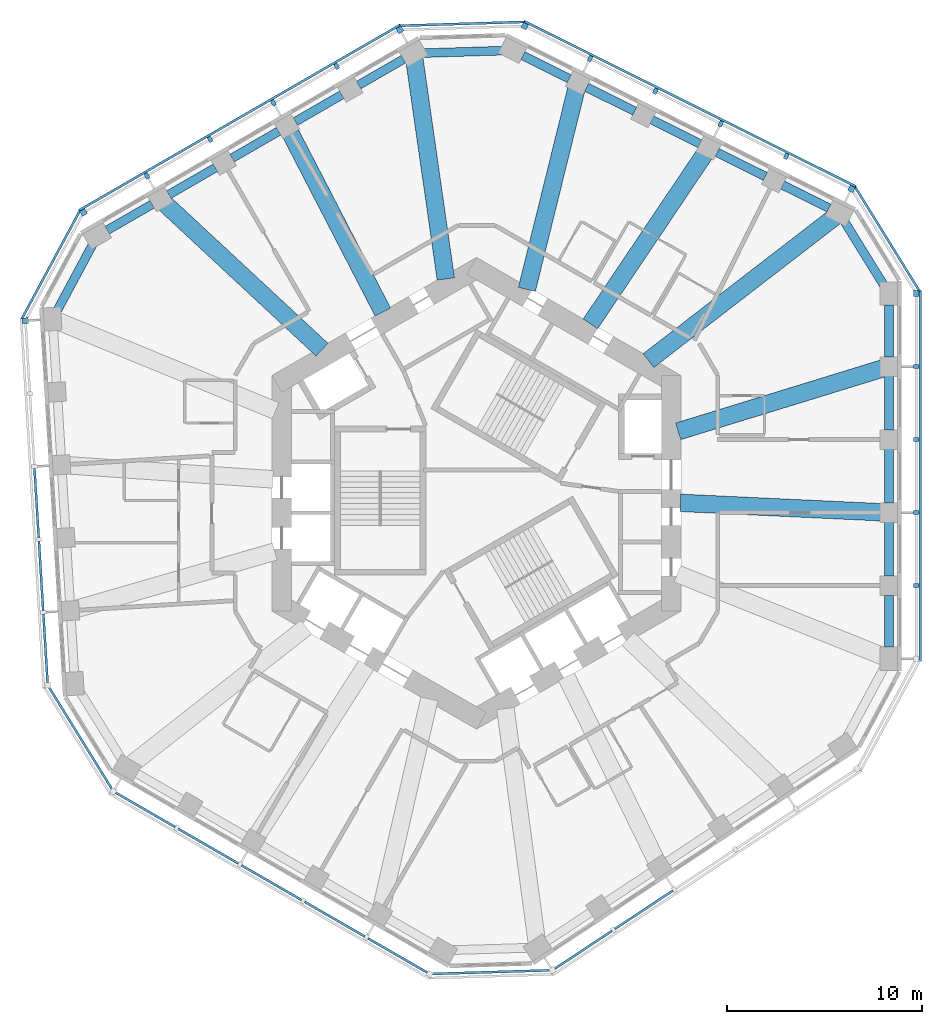
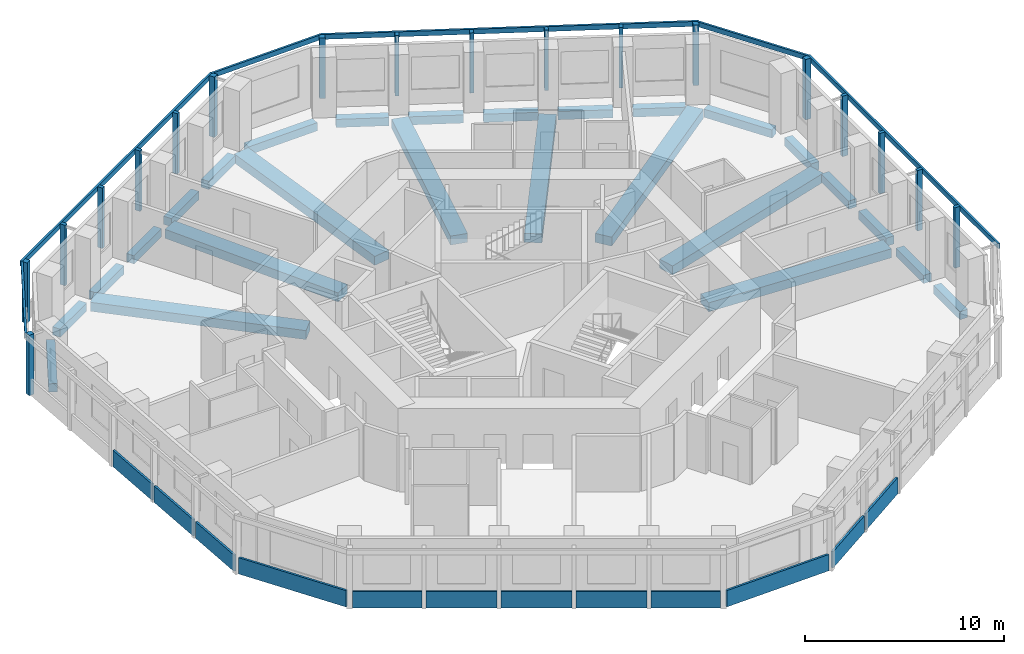
# One storey, part 2 of 11: 26 beams, 24 members, 12 plates, 11 elements without a shape of their own.
"""IFC4 building model written with IfcOpenShell, lengths in metres."""

from ifc_helpers import new_model, si_unit, direction, frame, origin, origin_2d, place, context, subcontext, project, spatial, rectangle, extrude, material, layer, layer_set, material_profile, profile_set, type_object, element, aggregate, save


model = new_model("IFC4")

# Units and contexts
model_context = context("Model", 3, precision=1e-05, world=origin(), true_north=direction((0.0, 1.0)))
body_context = subcontext(model_context, "Body", "Model", "MODEL_VIEW")
ifc_project = project(units=[si_unit("LENGTHUNIT", "METRE"), si_unit("AREAUNIT", "SQUARE_METRE"), si_unit("VOLUMEUNIT", "CUBIC_METRE"), si_unit("PLANEANGLEUNIT", "RADIAN"), si_unit("MASSUNIT", "GRAM", prefix="KILO")], contexts=[model_context])

# Site, building, storey
site_placement = place(None, origin())
site = spatial("IfcSite", under=ifc_project, at=site_placement, CompositionType="ELEMENT")
building_placement = place(site_placement, origin())
building = spatial("IfcBuilding", under=site, at=building_placement, Name="Vanh Sen Convention Tower", CompositionType="ELEMENT")
storey_placement = place(building_placement, frame((0.0, 0.0, 168.800048828125)))
storey = spatial("IfcBuildingStorey", under=building, at=storey_placement, Name="L41", CompositionType="ELEMENT", Elevation=168.800048828125)

# Curtain wall, member
ifc_material_1 = material(Name="Concrete C50/60", Category="concrete")
curtain_wall_type = type_object("IfcCurtainWallType", Name="Outer skin office zone", PredefinedType="NOTDEFINED", material=ifc_material_1)
curtain_wall_1_placement = place(storey_placement, origin())
curtain_wall_1 = element("IfcCurtainWall", 1, at=curtain_wall_1_placement, inside=storey, type_object=curtain_wall_type, Name="OUTER SKIN E L41", PredefinedType="NOTDEFINED")
ifc_material_profile_1 = material_profile(ifc_material_1, rectangle(XDim=0.300048828125, YDim=0.300048828125, at=origin_2d()), Name="Outer skin precast corner fin 300 x 300")
ifc_profile_set_1 = profile_set([ifc_material_profile_1], Name="Concrete C50/60")
member_type_1 = type_object("IfcMemberType", Name="Outer skin precast corner fin 300 x 300", PredefinedType="MULLION", material=ifc_profile_set_1)
member_1_placement = place(storey_placement, frame((22.60009765625, 10.26953125, 0.0), z_axis=(0.0, 0.0, 1.0), x_axis=(0.0, 1.0, 0.0)))
member_1 = element("IfcMember", 2, at=member_1_placement, type_object=member_type_1, Name="OUTER SKIN CORNER FIN 6 E L41", PredefinedType="MULLION", context=body_context, shape_type="SweptSolid", body=[
    extrude(rectangle(XDim=0.300048828125, YDim=0.300048828125, at=origin_2d()), origin(), (0.0, 0.0, 1.0), 3.699951171875),
])

# Curtain wall, members
curtain_wall_2_placement = place(storey_placement, origin())
curtain_wall_2 = element("IfcCurtainWall", 3, at=curtain_wall_2_placement, inside=storey, type_object=curtain_wall_type, Name="OUTER SKIN NE L41", PredefinedType="NOTDEFINED")
member_2_placement = place(storey_placement, frame((19.274658203125, 15.643310546875, 0.0), z_axis=(0.0, 0.0, 1.0), x_axis=(-0.894934361602, 0.44619781311, 0.0)))
member_2 = element("IfcMember", 4, at=member_2_placement, type_object=member_type_1, Name="OUTER SKIN CORNER FIN 1 NE L41", PredefinedType="MULLION", context=body_context, shape_type="SweptSolid", body=[
    extrude(rectangle(XDim=0.300048828125, YDim=0.300048828125, at=origin_2d()), origin(), (0.0, 0.0, 1.0), 3.699951171875),
])
member_3_placement = place(storey_placement, frame((2.476318359375, 24.0185546875, 0.0), z_axis=(0.0, 0.0, 1.0), x_axis=(-0.894934361602, 0.44619781311, 0.0)))
member_3 = element("IfcMember", 5, at=member_3_placement, type_object=member_type_1, Name="OUTER SKIN CORNER FIN 6 NE L41", PredefinedType="MULLION", context=body_context, shape_type="SweptSolid", body=[
    extrude(rectangle(XDim=0.300048828125, YDim=0.300048828125, at=origin_2d()), origin(), (0.0, 0.0, 1.0), 3.699951171875),
])

curtain_wall_3_placement = place(storey_placement, origin())
curtain_wall_3 = element("IfcCurtainWall", 6, at=curtain_wall_3_placement, inside=storey, type_object=curtain_wall_type, Name="OUTER SKIN NW L41", PredefinedType="NOTDEFINED")
member_4_placement = place(storey_placement, frame((-3.93798828125, 23.822509765625, 0.0), z_axis=(0.0, 0.0, 1.0), x_axis=(-0.866025403784, -0.5, 0.0)))
member_4 = element("IfcMember", 7, at=member_4_placement, type_object=member_type_1, Name="OUTER SKIN CORNER FIN 1 NW L41", PredefinedType="MULLION", context=body_context, shape_type="SweptSolid", body=[
    extrude(rectangle(XDim=0.300048828125, YDim=0.300048828125, at=origin_2d()), origin(), (0.0, 0.0, 1.0), 3.699951171875),
])
member_5_placement = place(storey_placement, frame((-20.193603515625, 14.4375, 0.0), z_axis=(0.0, 0.0, 1.0), x_axis=(-0.866025403784, -0.5, 0.0)))
member_5 = element("IfcMember", 8, at=member_5_placement, type_object=member_type_1, Name="OUTER SKIN CORNER FIN 6 NW L41", PredefinedType="MULLION", context=body_context, shape_type="SweptSolid", body=[
    extrude(rectangle(XDim=0.300048828125, YDim=0.300048828125, at=origin_2d()), origin(), (0.0, 0.0, 1.0), 3.699951171875),
])

# Curtain wall, member
curtain_wall_4_placement = place(storey_placement, origin())
curtain_wall_4 = element("IfcCurtainWall", 9, at=curtain_wall_4_placement, inside=storey, type_object=curtain_wall_type, Name="OUTER SKIN W L41", PredefinedType="NOTDEFINED")
member_6_placement = place(storey_placement, frame((-23.184814453125, 8.87060546875, 0.0), z_axis=(0.0, 0.0, 1.0), x_axis=(0.061048539535, -0.998134798422, 0.0)))
member_6 = element("IfcMember", 10, at=member_6_placement, type_object=member_type_1, Name="OUTER SKIN CORNER FIN 1 W L41", PredefinedType="MULLION", context=body_context, shape_type="SweptSolid", body=[
    extrude(rectangle(XDim=0.300048828125, YDim=0.300048828125, at=origin_2d()), origin(), (0.0, 0.0, 1.0), 3.699951171875),
])

# Member
ifc_material_profile_2 = material_profile(ifc_material_1, rectangle(XDim=0.199951171875, YDim=0.300048828125, at=origin_2d()), Name="Outer skin precast fin 200 x 300")
ifc_profile_set_2 = profile_set([ifc_material_profile_2], Name="Concrete C50/60")
member_type_2 = type_object("IfcMemberType", Name="Outer skin precast fin 200 x 300", PredefinedType="MULLION", material=ifc_profile_set_2)
member_7_placement = place(storey_placement, frame((22.60009765625, -4.746826171875, 0.0), z_axis=(0.0, 0.0, 1.0), x_axis=(0.0, 1.0, 0.0)))
member_7 = element("IfcMember", 11, at=member_7_placement, type_object=member_type_2, Name="OUTER SKIN fin 2 E L41", PredefinedType="MULLION", context=body_context, shape_type="SweptSolid", body=[
    extrude(rectangle(XDim=0.199951171875, YDim=0.300048828125, at=origin_2d()), origin(), (0.0, 0.0, 1.0), 3.699951171875),
])

member_8_placement = place(storey_placement, frame((22.60009765625, -0.992919921875, 0.0), z_axis=(0.0, 0.0, 1.0), x_axis=(0.0, 1.0, 0.0)))
member_8 = element("IfcMember", 12, at=member_8_placement, type_object=member_type_2, Name="OUTER SKIN fin 3 E L41", PredefinedType="MULLION", context=body_context, shape_type="SweptSolid", body=[
    extrude(rectangle(XDim=0.199951171875, YDim=0.300048828125, at=origin_2d()), origin(), (0.0, 0.0, 1.0), 3.699951171875),
])

member_9_placement = place(storey_placement, frame((22.60009765625, 2.76123046875, 0.0), z_axis=(0.0, 0.0, 1.0), x_axis=(0.0, 1.0, 0.0)))
member_9 = element("IfcMember", 13, at=member_9_placement, type_object=member_type_2, Name="OUTER SKIN fin 4 E L41", PredefinedType="MULLION", context=body_context, shape_type="SweptSolid", body=[
    extrude(rectangle(XDim=0.199951171875, YDim=0.300048828125, at=origin_2d()), origin(), (0.0, 0.0, 1.0), 3.699951171875),
])

member_10_placement = place(storey_placement, frame((22.60009765625, 6.515380859375, 0.0), z_axis=(0.0, 0.0, 1.0), x_axis=(0.0, 1.0, 0.0)))
member_10 = element("IfcMember", 14, at=member_10_placement, type_object=member_type_2, Name="OUTER SKIN fin 5 E L41", PredefinedType="MULLION", context=body_context, shape_type="SweptSolid", body=[
    extrude(rectangle(XDim=0.199951171875, YDim=0.300048828125, at=origin_2d()), origin(), (0.0, 0.0, 1.0), 3.699951171875),
])

member_11_placement = place(storey_placement, frame((15.9150390625, 17.318359375, 0.0), z_axis=(0.0, 0.0, 1.0), x_axis=(-0.894934361602, 0.44619781311, 0.0)))
member_11 = element("IfcMember", 15, at=member_11_placement, type_object=member_type_2, Name="OUTER SKIN fin 2 NE L41", PredefinedType="MULLION", context=body_context, shape_type="SweptSolid", body=[
    extrude(rectangle(XDim=0.199951171875, YDim=0.300048828125, at=origin_2d()), origin(), (0.0, 0.0, 1.0), 3.699951171875),
])

member_12_placement = place(storey_placement, frame((12.555419921875, 18.993408203125, 0.0), z_axis=(0.0, 0.0, 1.0), x_axis=(-0.894934361602, 0.44619781311, 0.0)))
member_12 = element("IfcMember", 16, at=member_12_placement, type_object=member_type_2, Name="OUTER SKIN fin 3 NE L41", PredefinedType="MULLION", context=body_context, shape_type="SweptSolid", body=[
    extrude(rectangle(XDim=0.199951171875, YDim=0.300048828125, at=origin_2d()), origin(), (0.0, 0.0, 1.0), 3.699951171875),
])

member_13_placement = place(storey_placement, frame((9.195556640625, 20.66845703125, 0.0), z_axis=(0.0, 0.0, 1.0), x_axis=(-0.894934361602, 0.44619781311, 0.0)))
member_13 = element("IfcMember", 17, at=member_13_placement, type_object=member_type_2, Name="OUTER SKIN fin 4 NE L41", PredefinedType="MULLION", context=body_context, shape_type="SweptSolid", body=[
    extrude(rectangle(XDim=0.199951171875, YDim=0.300048828125, at=origin_2d()), origin(), (0.0, 0.0, 1.0), 3.699951171875),
])

member_14_placement = place(storey_placement, frame((5.8359375, 22.343505859375, 0.0), z_axis=(0.0, 0.0, 1.0), x_axis=(-0.894934361602, 0.44619781311, 0.0)))
member_14 = element("IfcMember", 18, at=member_14_placement, type_object=member_type_2, Name="OUTER SKIN fin 5 NE L41", PredefinedType="MULLION", context=body_context, shape_type="SweptSolid", body=[
    extrude(rectangle(XDim=0.199951171875, YDim=0.300048828125, at=origin_2d()), origin(), (0.0, 0.0, 1.0), 3.699951171875),
])

member_15_placement = place(storey_placement, frame((-7.189208984375, 21.945556640625, 0.0), z_axis=(0.0, 0.0, 1.0), x_axis=(-0.866025403784, -0.5, 0.0)))
member_15 = element("IfcMember", 19, at=member_15_placement, type_object=member_type_2, Name="OUTER SKIN fin 2 NW L41", PredefinedType="MULLION", context=body_context, shape_type="SweptSolid", body=[
    extrude(rectangle(XDim=0.199951171875, YDim=0.300048828125, at=origin_2d()), origin(), (0.0, 0.0, 1.0), 3.699951171875),
])

member_16_placement = place(storey_placement, frame((-10.440185546875, 20.068603515625, 0.0), z_axis=(0.0, 0.0, 1.0), x_axis=(-0.866025403784, -0.5, 0.0)))
member_16 = element("IfcMember", 20, at=member_16_placement, type_object=member_type_2, Name="OUTER SKIN fin 3 NW L41", PredefinedType="MULLION", context=body_context, shape_type="SweptSolid", body=[
    extrude(rectangle(XDim=0.199951171875, YDim=0.300048828125, at=origin_2d()), origin(), (0.0, 0.0, 1.0), 3.699951171875),
])

member_17_placement = place(storey_placement, frame((-13.69140625, 18.19140625, 0.0), z_axis=(0.0, 0.0, 1.0), x_axis=(-0.866025403784, -0.5, 0.0)))
member_17 = element("IfcMember", 21, at=member_17_placement, type_object=member_type_2, Name="OUTER SKIN fin 4 NW L41", PredefinedType="MULLION", context=body_context, shape_type="SweptSolid", body=[
    extrude(rectangle(XDim=0.199951171875, YDim=0.300048828125, at=origin_2d()), origin(), (0.0, 0.0, 1.0), 3.699951171875),
])

member_18_placement = place(storey_placement, frame((-16.9423828125, 16.314453125, 0.0), z_axis=(0.0, 0.0, 1.0), x_axis=(-0.866025403784, -0.5, 0.0)))
member_18 = element("IfcMember", 22, at=member_18_placement, type_object=member_type_2, Name="OUTER SKIN fin 5 NW L41", PredefinedType="MULLION", context=body_context, shape_type="SweptSolid", body=[
    extrude(rectangle(XDim=0.199951171875, YDim=0.300048828125, at=origin_2d()), origin(), (0.0, 0.0, 1.0), 3.699951171875),
])

ifc_material_profile_3 = material_profile(ifc_material_1, rectangle(XDim=0.1201171875, YDim=0.300048828125, at=origin_2d()), Name="Outer skin precast spandrel band 300 x 120")
ifc_profile_set_3 = profile_set([ifc_material_profile_3], Name="Concrete C50/60")
member_type_3 = type_object("IfcMemberType", Name="Outer skin precast spandrel band 300 x 120", PredefinedType="USERDEFINED", material=ifc_profile_set_3)
member_19_placement = place(storey_placement, frame((22.81005859375, -8.65087890625, 3.550048828125), z_axis=(0.0, 1.0, 0.0), x_axis=(-1.0, 0.0, 0.0)))
member_19 = element("IfcMember", 23, at=member_19_placement, type_object=member_type_3, Name="OUTER SKIN spandrel band E L41", ObjectType="TRANSOM", PredefinedType="USERDEFINED", context=body_context, shape_type="SweptSolid", body=[
    extrude(rectangle(XDim=0.1201171875, YDim=0.300048828125, at=origin_2d()), origin(), (0.0, 0.0, 1.0), 19.0703125),
])

aggregate(curtain_wall_1, [member_7, member_8, member_9, member_10, member_1, member_19])

# Curtain wall, member
curtain_wall_5_placement = place(storey_placement, origin())
curtain_wall_5 = element("IfcCurtainWall", 24, at=curtain_wall_5_placement, inside=storey, type_object=curtain_wall_type, Name="OUTER SKIN CH1 L41", PredefinedType="NOTDEFINED")
member_20_placement = place(storey_placement, frame((22.778564453125, 10.3798828125, 3.550048828125), z_axis=(-0.526173726926, 0.850377098171, 0.0), x_axis=(-0.850377098171, -0.526173726926, 0.0)))
member_20 = element("IfcMember", 25, at=member_20_placement, type_object=member_type_3, Name="OUTER SKIN spandrel band CH1 L41", ObjectType="TRANSOM", PredefinedType="USERDEFINED", context=body_context, shape_type="SweptSolid", body=[
    extrude(rectangle(XDim=0.1201171875, YDim=0.300048828125, at=origin_2d()), origin(), (0.0, 0.0, 1.0), 6.319580078125),
])
aggregate(curtain_wall_5, [member_20])

# Member
member_21_placement = place(storey_placement, frame((19.502685546875, 15.764404296875, 3.550048828125), z_axis=(-0.894941234474, 0.446184027996, 0.0), x_axis=(-0.446184027996, -0.894941234474, 0.0)))
member_21 = element("IfcMember", 26, at=member_21_placement, type_object=member_type_3, Name="OUTER SKIN spandrel band NE L41", ObjectType="TRANSOM", PredefinedType="USERDEFINED", context=body_context, shape_type="SweptSolid", body=[
    extrude(rectangle(XDim=0.1201171875, YDim=0.300048828125, at=origin_2d()), origin(), (0.0, 0.0, 1.0), 19.07080078125),
])

aggregate(curtain_wall_2, [member_2, member_11, member_12, member_13, member_14, member_3, member_21])

# Curtain wall, member
curtain_wall_6_placement = place(storey_placement, origin())
curtain_wall_6 = element("IfcCurtainWall", 27, at=curtain_wall_6_placement, inside=storey, type_object=curtain_wall_type, Name="OUTER SKIN CH2 L41", PredefinedType="NOTDEFINED")
member_22_placement = place(storey_placement, frame((2.4697265625, 24.228515625, 3.550048828125), z_axis=(-0.999533221695, -0.030550592913, 0.0), x_axis=(0.030550592913, -0.999533221695, 0.0)))
member_22 = element("IfcMember", 28, at=member_22_placement, type_object=member_type_3, Name="OUTER SKIN spandrel band CH2 L41", ObjectType="TRANSOM", PredefinedType="USERDEFINED", context=body_context, shape_type="SweptSolid", body=[
    extrude(rectangle(XDim=0.1201171875, YDim=0.300048828125, at=origin_2d()), origin(), (0.0, 0.0, 1.0), 6.4169921875),
])
aggregate(curtain_wall_6, [member_22])

# Member
member_23_placement = place(storey_placement, frame((-3.9130859375, 24.07958984375, 3.550048828125), z_axis=(-0.866023136587, -0.500003926881, 0.0), x_axis=(0.500003926881, -0.866023136587, 0.0)))
member_23 = element("IfcMember", 29, at=member_23_placement, type_object=member_type_3, Name="OUTER SKIN spandrel band NW L41", ObjectType="TRANSOM", PredefinedType="USERDEFINED", context=body_context, shape_type="SweptSolid", body=[
    extrude(rectangle(XDim=0.1201171875, YDim=0.300048828125, at=origin_2d()), origin(), (0.0, 0.0, 1.0), 19.070556640625),
])

aggregate(curtain_wall_3, [member_4, member_15, member_16, member_17, member_18, member_5, member_23])

# Curtain wall, member
curtain_wall_7_placement = place(storey_placement, origin())
curtain_wall_7 = element("IfcCurtainWall", 30, at=curtain_wall_7_placement, inside=storey, type_object=curtain_wall_type, Name="OUTER SKIN CH3 L41", PredefinedType="NOTDEFINED")
member_24_placement = place(storey_placement, frame((-20.378662109375, 14.536865234375, 3.550048828125), z_axis=(-0.47333707755, -0.880881383057, 0.0), x_axis=(0.880881383057, -0.47333707755, 0.0)))
member_24 = element("IfcMember", 31, at=member_24_placement, type_object=member_type_3, Name="OUTER SKIN spandrel band CH3 L41", ObjectType="TRANSOM", PredefinedType="USERDEFINED", context=body_context, shape_type="SweptSolid", body=[
    extrude(rectangle(XDim=0.1201171875, YDim=0.300048828125, at=origin_2d()), origin(), (0.0, 0.0, 1.0), 6.3193359375),
])
aggregate(curtain_wall_7, [member_24])

# Beams
ifc_material_2 = material(Name="Concrete C50/60", Category="concrete")
ifc_material_profile_4 = material_profile(ifc_material_2, rectangle(XDim=0.89990234375, YDim=0.550048828125, at=origin_2d()), Name="RC 900X550")
ifc_profile_set_4 = profile_set([ifc_material_profile_4], Name="Concrete C50/60")
beam_type_1 = type_object("IfcBeamType", Name="Radial floor beam 900 x 550", PredefinedType="BEAM", material=ifc_profile_set_4)
beam_1_placement = place(storey_placement, frame((20.77587890625, -0.972900390625, -0.554931640625), z_axis=(-0.998905318596, 0.046777820399, 0.0), x_axis=(-0.046777820399, -0.998905318596, 0.0)))
element("IfcBeam", 32, at=beam_1_placement, inside=storey, type_object=beam_type_1, Name="Radial beam 02 L41", PredefinedType="BEAM", context=body_context, shape_type="SweptSolid", body=[
    extrude(rectangle(XDim=0.89990234375, YDim=0.550048828125, at=origin_2d()), origin(), (0.0, 0.0, 1.0), 10.31298828125),
])
beam_2_placement = place(storey_placement, frame((20.9775390625, 6.447021484375, -0.554931640625), z_axis=(-0.955874982074, -0.29377375418, 0.0), x_axis=(0.29377375418, -0.955874982074, 0.0)))
element("IfcBeam", 33, at=beam_2_placement, inside=storey, type_object=beam_type_1, Name="Radial beam 03 L41", PredefinedType="BEAM", context=body_context, shape_type="SweptSolid", body=[
    extrude(rectangle(XDim=0.89990234375, YDim=0.550048828125, at=origin_2d()), origin(), (0.0, 0.0, 1.0), 11.1044921875),
])
beam_3_placement = place(storey_placement, frame((18.4306640625, 14.22119140625, -0.554931640625), z_axis=(-0.791711533114, -0.610895120568, 0.0), x_axis=(0.610895120568, -0.791711533114, 0.0)))
element("IfcBeam", 34, at=beam_3_placement, inside=storey, type_object=beam_type_1, Name="Radial beam 04 L41", PredefinedType="BEAM", context=body_context, shape_type="SweptSolid", body=[
    extrude(rectangle(XDim=0.89990234375, YDim=0.550048828125, at=origin_2d()), origin(), (0.0, 0.0, 1.0), 12.11669921875),
])
beam_4_placement = place(storey_placement, frame((11.712890625, 17.416748046875, -0.554931640625), z_axis=(-0.558049212229, -0.829807855308, 0.0), x_axis=(0.829807855308, -0.558049212229, 0.0)))
element("IfcBeam", 35, at=beam_4_placement, inside=storey, type_object=beam_type_1, Name="Radial beam 05 L41", PredefinedType="BEAM", context=body_context, shape_type="SweptSolid", body=[
    extrude(rectangle(XDim=0.89990234375, YDim=0.550048828125, at=origin_2d()), origin(), (0.0, 0.0, 1.0), 10.500244140625),
])
beam_5_placement = place(storey_placement, frame((5.1455078125, 20.824951171875, -0.554931640625), z_axis=(-0.239866381143, -0.970805912218, 0.0), x_axis=(0.970805912218, -0.239866381143, 0.0)))
element("IfcBeam", 36, at=beam_5_placement, inside=storey, type_object=beam_type_1, Name="Radial beam 06 L41", PredefinedType="BEAM", context=body_context, shape_type="SweptSolid", body=[
    extrude(rectangle(XDim=0.89990234375, YDim=0.550048828125, at=origin_2d()), origin(), (0.0, 0.0, 1.0), 10.656494140625),
])
beam_6_placement = place(storey_placement, frame((-3.195556640625, 22.31396484375, -0.554931640625), z_axis=(0.141765709165, -0.989900239269, 0.0), x_axis=(0.989900239269, 0.141765709165, 0.0)))
element("IfcBeam", 37, at=beam_6_placement, inside=storey, type_object=beam_type_1, Name="Radial beam 07 L41", PredefinedType="BEAM", context=body_context, shape_type="SweptSolid", body=[
    extrude(rectangle(XDim=0.89990234375, YDim=0.550048828125, at=origin_2d()), origin(), (0.0, 0.0, 1.0), 11.414306640625),
])
beam_7_placement = place(storey_placement, frame((-9.54541015625, 18.47900390625, -0.554931640625), z_axis=(0.458935346364, -0.888469666257, 0.0), x_axis=(0.888469666257, 0.458935346364, 0.0)))
element("IfcBeam", 38, at=beam_7_placement, inside=storey, type_object=beam_type_1, Name="Radial beam 08 L41", PredefinedType="BEAM", context=body_context, shape_type="SweptSolid", body=[
    extrude(rectangle(XDim=0.89990234375, YDim=0.550048828125, at=origin_2d()), origin(), (0.0, 0.0, 1.0), 10.313232421875),
])
beam_8_placement = place(storey_placement, frame((-16.072021484375, 14.943603515625, -0.554931640625), z_axis=(0.732340727094, -0.680938366843, 0.0), x_axis=(0.680938366843, 0.732340727094, 0.0)))
element("IfcBeam", 39, at=beam_8_placement, inside=storey, type_object=beam_type_1, Name="Radial beam 09 L41", PredefinedType="BEAM", context=body_context, shape_type="SweptSolid", body=[
    extrude(rectangle(XDim=0.89990234375, YDim=0.550048828125, at=origin_2d()), origin(), (0.0, 0.0, 1.0), 11.1044921875),
])
ifc_material_profile_5 = material_profile(ifc_material_2, rectangle(XDim=0.449951171875, YDim=0.5, at=origin_2d()), Name="RC 450X500")
ifc_profile_set_5 = profile_set([ifc_material_profile_5], Name="Concrete C50/60")
beam_type_2 = type_object("IfcBeamType", Name="Spandrel beam 450 x 500", PredefinedType="SPANDREL", material=ifc_profile_set_5)
beam_9_placement = place(storey_placement, frame((21.199951171875, -7.906005859375, -0.530029296875), z_axis=(0.0, 1.0, 0.0), x_axis=(-1.0, 0.0, 0.0)))
element("IfcBeam", 40, at=beam_9_placement, inside=storey, type_object=beam_type_2, Name="Spandrel beam 01 L41", PredefinedType="SPANDREL", context=body_context, shape_type="SweptSolid", body=[
    extrude(rectangle(XDim=0.449951171875, YDim=0.5, at=origin_2d()), origin(), (0.0, 0.0, 1.0), 2.6640625),
])
for number, where, z_axis, x_axis, name in (
    (41, (21.199951171875, -4.251953125, -0.530029296875), (0.0, 1.0, 0.0), (-1.0, 0.0, 0.0), "Spandrel beam 02 L41"),
    (42, (21.199951171875, -0.497802734375, -0.530029296875), (0.0, 1.0, 0.0), (-1.0, 0.0, 0.0), "Spandrel beam 03 L41"),
    (43, (21.199951171875, 3.25634765625, -0.530029296875), (0.0, 1.0, 0.0), (-1.0, 0.0, 0.0), "Spandrel beam 04 L41"),
):
    element("IfcBeam", number, at=place(storey_placement, frame(where, z_axis=z_axis, x_axis=x_axis)), inside=storey, type_object=beam_type_2, Name=name, PredefinedType="SPANDREL", context=body_context, shape_type="SweptSolid", body=[
        extrude(rectangle(XDim=0.449951171875, YDim=0.5, at=origin_2d()), origin(), (0.0, 0.0, 1.0), 2.76416015625),
    ])
beam_10_placement = place(storey_placement, frame((21.199951171875, 7.010498046875, -0.530029296875), z_axis=(0.0, 1.0, 0.0), x_axis=(-1.0, 0.0, 0.0)))
element("IfcBeam", 44, at=beam_10_placement, inside=storey, type_object=beam_type_2, Name="Spandrel beam 05 L41", PredefinedType="SPANDREL", context=body_context, shape_type="SweptSolid", body=[
    extrude(rectangle(XDim=0.449951171875, YDim=0.5, at=origin_2d()), origin(), (0.0, 0.0, 1.0), 2.6640625),
])
beam_11_placement = place(storey_placement, frame((20.944091796875, 10.683349609375, -0.530029296875), z_axis=(-0.526220063476, 0.850348425526, 0.0), x_axis=(-0.850348425526, -0.526220063476, 0.0)))
element("IfcBeam", 45, at=beam_11_placement, inside=storey, type_object=beam_type_2, Name="Spandrel beam 06 L41", PredefinedType="SPANDREL", context=body_context, shape_type="SweptSolid", body=[
    extrude(rectangle(XDim=0.449951171875, YDim=0.5, at=origin_2d()), origin(), (0.0, 0.0, 1.0), 3.873046875),
])
beam_12_placement = place(storey_placement, frame((18.117431640625, 14.656005859375, -0.530029296875), z_axis=(-0.894958126718, 0.446150144482, 0.0), x_axis=(-0.446150144482, -0.894958126718, 0.0)))
element("IfcBeam", 46, at=beam_12_placement, inside=storey, type_object=beam_type_2, Name="Spandrel beam 07 L41", PredefinedType="SPANDREL", context=body_context, shape_type="SweptSolid", body=[
    extrude(rectangle(XDim=0.449951171875, YDim=0.5, at=origin_2d()), origin(), (0.0, 0.0, 1.0), 2.663818359375),
])
beam_13_placement = place(storey_placement, frame((14.847412109375, 16.286376953125, -0.530029296875), z_axis=(-0.894974121341, 0.446118058511, 0.0), x_axis=(-0.446118058511, -0.894974121341, 0.0)))
element("IfcBeam", 47, at=beam_13_placement, inside=storey, type_object=beam_type_2, Name="Spandrel beam 08 L41", PredefinedType="SPANDREL", context=body_context, shape_type="SweptSolid", body=[
    extrude(rectangle(XDim=0.449951171875, YDim=0.5, at=origin_2d()), origin(), (0.0, 0.0, 1.0), 2.76416015625),
])
beam_14_placement = place(storey_placement, frame((11.487548828125, 17.96142578125, -0.530029296875), z_axis=(-0.894956541152, 0.446153325045, 0.0), x_axis=(-0.446153325045, -0.894956541152, 0.0)))
element("IfcBeam", 48, at=beam_14_placement, inside=storey, type_object=beam_type_2, Name="Spandrel beam 09 L41", PredefinedType="SPANDREL", context=body_context, shape_type="SweptSolid", body=[
    extrude(rectangle(XDim=0.449951171875, YDim=0.5, at=origin_2d()), origin(), (0.0, 0.0, 1.0), 2.763916015625),
])
beam_15_placement = place(storey_placement, frame((8.1279296875, 19.636474609375, -0.530029296875), z_axis=(-0.89492127077, 0.446224068292, 0.0), x_axis=(-0.446224068292, -0.89492127077, 0.0)))
element("IfcBeam", 49, at=beam_15_placement, inside=storey, type_object=beam_type_2, Name="Spandrel beam 10 L41", PredefinedType="SPANDREL", context=body_context, shape_type="SweptSolid", body=[
    extrude(rectangle(XDim=0.449951171875, YDim=0.5, at=origin_2d()), origin(), (0.0, 0.0, 1.0), 2.76416015625),
])
beam_16_placement = place(storey_placement, frame((4.768310546875, 21.3115234375, -0.530029296875), z_axis=(-0.894939776695, 0.446186951948, 0.0), x_axis=(-0.446186951948, -0.894939776695, 0.0)))
element("IfcBeam", 50, at=beam_16_placement, inside=storey, type_object=beam_type_2, Name="Spandrel beam 11 L41", PredefinedType="SPANDREL", context=body_context, shape_type="SweptSolid", body=[
    extrude(rectangle(XDim=0.449951171875, YDim=0.5, at=origin_2d()), origin(), (0.0, 0.0, 1.0), 2.6640625),
])
beam_17_placement = place(storey_placement, frame((1.32470703125, 22.74951171875, -0.530029296875), z_axis=(-0.999533715833, -0.030534421783, 0.0), x_axis=(0.030534421783, -0.999533715833, 0.0)))
element("IfcBeam", 51, at=beam_17_placement, inside=storey, type_object=beam_type_2, Name="Spandrel beam 12 L41", PredefinedType="SPANDREL", context=body_context, shape_type="SweptSolid", body=[
    extrude(rectangle(XDim=0.449951171875, YDim=0.5, at=origin_2d()), origin(), (0.0, 0.0, 1.0), 4.037841796875),
])
beam_18_placement = place(storey_placement, frame((-3.753173828125, 22.312744140625, -0.530029296875), z_axis=(-0.866023818221, -0.500002746266, 0.0), x_axis=(0.500002746266, -0.866023818221, 0.0)))
element("IfcBeam", 52, at=beam_18_placement, inside=storey, type_object=beam_type_2, Name="Spandrel beam 13 L41", PredefinedType="SPANDREL", context=body_context, shape_type="SweptSolid", body=[
    extrude(rectangle(XDim=0.449951171875, YDim=0.5, at=origin_2d()), origin(), (0.0, 0.0, 1.0), 2.6640625),
])
for number, where, z_axis, x_axis, name in (
    (53, (-6.917724609375, 20.485595703125, -0.530029296875), (-0.866022320763, -0.500005339912, 0.0), (0.500005339912, -0.866022320763, 0.0), "Spandrel beam 14 L41"),
    (54, (-10.1689453125, 18.608642578125, -0.530029296875), (-0.866022320763, -0.500005339912, 0.0), (0.500005339912, -0.866022320763, 0.0), "Spandrel beam 15 L41"),
):
    element("IfcBeam", number, at=place(storey_placement, frame(where, z_axis=z_axis, x_axis=x_axis)), inside=storey, type_object=beam_type_2, Name=name, PredefinedType="SPANDREL", context=body_context, shape_type="SweptSolid", body=[
        extrude(rectangle(XDim=0.449951171875, YDim=0.5, at=origin_2d()), origin(), (0.0, 0.0, 1.0), 2.76416015625),
    ])
beam_19_placement = place(storey_placement, frame((-13.420166015625, 16.731689453125, -0.530029296875), z_axis=(-0.866000236617, -0.500043588279, 0.0), x_axis=(0.500043588279, -0.866000236617, 0.0)))
element("IfcBeam", 55, at=beam_19_placement, inside=storey, type_object=beam_type_2, Name="Spandrel beam 16 L41", PredefinedType="SPANDREL", context=body_context, shape_type="SweptSolid", body=[
    extrude(rectangle(XDim=0.449951171875, YDim=0.5, at=origin_2d()), origin(), (0.0, 0.0, 1.0), 2.763916015625),
])
beam_20_placement = place(storey_placement, frame((-16.671142578125, 14.8544921875, -0.530029296875), z_axis=(-0.866046726429, -0.499963066278, 0.0), x_axis=(0.499963066278, -0.866046726429, 0.0)))
element("IfcBeam", 56, at=beam_20_placement, inside=storey, type_object=beam_type_2, Name="Spandrel beam 17 L41", PredefinedType="SPANDREL", context=body_context, shape_type="SweptSolid", body=[
    extrude(rectangle(XDim=0.449951171875, YDim=0.5, at=origin_2d()), origin(), (0.0, 0.0, 1.0), 2.664306640625),
])
beam_21_placement = place(storey_placement, frame((-19.72412109375, 12.79638671875, -0.530029296875), z_axis=(-0.473295157781, -0.880903907144, 0.0), x_axis=(0.880903907144, -0.473295157781, 0.0)))
element("IfcBeam", 57, at=beam_21_placement, inside=storey, type_object=beam_type_2, Name="Spandrel beam 18 L41", PredefinedType="SPANDREL", context=body_context, shape_type="SweptSolid", body=[
    extrude(rectangle(XDim=0.449951171875, YDim=0.5, at=origin_2d()), origin(), (0.0, 0.0, 1.0), 3.872802734375),
])

# Plate
ifc_layer = layer(ifc_material_1, 0.1201171875)
ifc_layer_set = layer_set([ifc_layer], Name="Concrete C50/60")
plate_type = type_object("IfcPlateType", Name="Outer skin precast screen panel 120", PredefinedType="CURTAIN_PANEL", material=ifc_layer_set)
plate_1_placement = place(storey_placement, frame((-22.61181640625, -0.4970703125, 0.0), z_axis=(0.0, 0.0, 1.0), x_axis=(0.061053765756, -0.998134478759, 0.0)))
plate_1 = element("IfcPlate", 58, at=plate_1_placement, type_object=plate_type, Name="OUTER SKIN screen panel W-3", PredefinedType="CURTAIN_PANEL", context=body_context, shape_type="SweptSolid", body=[
    extrude(rectangle(XDim=3.55419921875, YDim=0.1201171875, at=origin_2d()), origin(), (0.0, 0.0, 1.0), 1.0),
])

plate_2_placement = place(storey_placement, frame((-22.382568359375, -4.244140625, 0.0), z_axis=(0.0, 0.0, 1.0), x_axis=(0.061025892559, -0.998136183312, 0.0)))
plate_2 = element("IfcPlate", 59, at=plate_2_placement, type_object=plate_type, Name="OUTER SKIN screen panel W-4", PredefinedType="CURTAIN_PANEL", context=body_context, shape_type="SweptSolid", body=[
    extrude(rectangle(XDim=3.55419921875, YDim=0.1201171875, at=origin_2d()), origin(), (0.0, 0.0, 1.0), 1.0),
])

plate_3_placement = place(storey_placement, frame((-22.155029296875, -7.96630859375, 0.0), z_axis=(0.0, 0.0, 1.0), x_axis=(0.061053765756, -0.998134478759, 0.0)))
plate_3 = element("IfcPlate", 60, at=plate_3_placement, type_object=plate_type, Name="OUTER SKIN screen panel W-5", PredefinedType="CURTAIN_PANEL", context=body_context, shape_type="SweptSolid", body=[
    extrude(rectangle(XDim=3.504150390625, YDim=0.1201171875, at=origin_2d()), origin(), (0.0, 0.0, 1.0), 1.0),
])

aggregate(curtain_wall_4, [member_6, plate_1, plate_2, plate_3])

# Curtain wall, plate
curtain_wall_8_placement = place(storey_placement, origin())
curtain_wall_8 = element("IfcCurtainWall", 61, at=curtain_wall_8_placement, inside=storey, type_object=curtain_wall_type, Name="OUTER SKIN CH4 L41", PredefinedType="NOTDEFINED")
plate_4_placement = place(storey_placement, frame((-20.3505859375, -12.59326171875, 0.0), z_axis=(0.0, 0.0, 1.0), x_axis=(0.526218376078, -0.850349469734, 0.0)))
plate_4 = element("IfcPlate", 62, at=plate_4_placement, type_object=plate_type, Name="OUTER SKIN screen panel CH4-1", PredefinedType="CURTAIN_PANEL", context=body_context, shape_type="SweptSolid", body=[
    extrude(rectangle(XDim=6.1171875, YDim=0.1201171875, at=origin_2d()), origin(), (0.0, 0.0, 1.0), 1.0),
])
aggregate(curtain_wall_8, [plate_4])

# Curtain wall, plates
curtain_wall_9_placement = place(storey_placement, origin())
curtain_wall_9 = element("IfcCurtainWall", 63, at=curtain_wall_9_placement, inside=storey, type_object=curtain_wall_type, Name="OUTER SKIN SW L41", PredefinedType="NOTDEFINED")
plate_5_placement = place(storey_placement, frame((-17.014892578125, -16.272705078125, 0.0), z_axis=(0.0, 0.0, 1.0), x_axis=(0.86602365845, -0.500003022996, 0.0)))
plate_5 = element("IfcPlate", 64, at=plate_5_placement, type_object=plate_type, Name="OUTER SKIN screen panel SW-1", PredefinedType="CURTAIN_PANEL", context=body_context, shape_type="SweptSolid", body=[
    extrude(rectangle(XDim=3.504150390625, YDim=0.1201171875, at=origin_2d()), origin(), (0.0, 0.0, 1.0), 1.0),
])
plate_6_placement = place(storey_placement, frame((-13.785400390625, -18.13720703125, 0.0), z_axis=(0.0, 0.0, 1.0), x_axis=(0.866028021766, -0.499995465495, 0.0)))
plate_6 = element("IfcPlate", 65, at=plate_6_placement, type_object=plate_type, Name="OUTER SKIN screen panel SW-2", PredefinedType="CURTAIN_PANEL", context=body_context, shape_type="SweptSolid", body=[
    extrude(rectangle(XDim=3.553955078125, YDim=0.1201171875, at=origin_2d()), origin(), (0.0, 0.0, 1.0), 1.0),
])
plate_7_placement = place(storey_placement, frame((-10.5341796875, -20.014404296875, 0.0), z_axis=(0.0, 0.0, 1.0), x_axis=(0.86602365845, -0.500003022996, 0.0)))
plate_7 = element("IfcPlate", 66, at=plate_7_placement, type_object=plate_type, Name="OUTER SKIN screen panel SW-3", PredefinedType="CURTAIN_PANEL", context=body_context, shape_type="SweptSolid", body=[
    extrude(rectangle(XDim=3.55419921875, YDim=0.1201171875, at=origin_2d()), origin(), (0.0, 0.0, 1.0), 1.0),
])
plate_8_placement = place(storey_placement, frame((-7.283203125, -21.891357421875, 0.0), z_axis=(0.0, 0.0, 1.0), x_axis=(0.866016677006, -0.500015114919, 0.0)))
plate_8 = element("IfcPlate", 67, at=plate_8_placement, type_object=plate_type, Name="OUTER SKIN screen panel SW-4", PredefinedType="CURTAIN_PANEL", context=body_context, shape_type="SweptSolid", body=[
    extrude(rectangle(XDim=3.55419921875, YDim=0.1201171875, at=origin_2d()), origin(), (0.0, 0.0, 1.0), 1.0),
])
plate_9_placement = place(storey_placement, frame((-4.0537109375, -23.755859375, 0.0), z_axis=(0.0, 0.0, 1.0), x_axis=(0.866035002936, -0.499983373414, 0.0)))
plate_9 = element("IfcPlate", 68, at=plate_9_placement, type_object=plate_type, Name="OUTER SKIN screen panel SW-5", PredefinedType="CURTAIN_PANEL", context=body_context, shape_type="SweptSolid", body=[
    extrude(rectangle(XDim=3.504150390625, YDim=0.1201171875, at=origin_2d()), origin(), (0.0, 0.0, 1.0), 1.0),
])
aggregate(curtain_wall_9, [plate_5, plate_6, plate_7, plate_8, plate_9])

# Curtain wall, plate
curtain_wall_10_placement = place(storey_placement, origin())
curtain_wall_10 = element("IfcCurtainWall", 69, at=curtain_wall_10_placement, inside=storey, type_object=curtain_wall_type, Name="OUTER SKIN CH5 L41", PredefinedType="NOTDEFINED")
plate_10_placement = place(storey_placement, frame((0.751953125, -24.6103515625, 0.0), z_axis=(0.0, 0.0, 1.0), x_axis=(0.999533537535, 0.030540257725, 0.0)))
plate_10 = element("IfcPlate", 70, at=plate_10_placement, type_object=plate_type, Name="OUTER SKIN screen panel CH5-1", PredefinedType="CURTAIN_PANEL", context=body_context, shape_type="SweptSolid", body=[
    extrude(rectangle(XDim=6.019287109375, YDim=0.1201171875, at=origin_2d()), origin(), (0.0, 0.0, 1.0), 1.0),
])
aggregate(curtain_wall_10, [plate_10])

# Curtain wall, plates
curtain_wall_11_placement = place(storey_placement, origin())
curtain_wall_11 = element("IfcCurtainWall", 71, at=curtain_wall_11_placement, inside=storey, type_object=curtain_wall_type, Name="OUTER SKIN SE L41", PredefinedType="NOTDEFINED")
plate_11_placement = place(storey_placement, frame((5.49609375, -23.464111328125, 0.0), z_axis=(0.0, 0.0, 1.0), x_axis=(0.833889675294, 0.551931163677, 0.0)))
plate_11 = element("IfcPlate", 72, at=plate_11_placement, type_object=plate_type, Name="OUTER SKIN screen panel SE-1", PredefinedType="CURTAIN_PANEL", context=body_context, shape_type="SweptSolid", body=[
    extrude(rectangle(XDim=3.504150390625, YDim=0.1201171875, at=origin_2d()), origin(), (0.0, 0.0, 1.0), 1.0),
])
plate_12_placement = place(storey_placement, frame((8.60595703125, -21.406005859375, 0.0), z_axis=(0.0, 0.0, 1.0), x_axis=(0.833889675294, 0.551931163677, 0.0)))
plate_12 = element("IfcPlate", 73, at=plate_12_placement, type_object=plate_type, Name="OUTER SKIN screen panel SE-2", PredefinedType="CURTAIN_PANEL", context=body_context, shape_type="SweptSolid", body=[
    extrude(rectangle(XDim=3.55419921875, YDim=0.1201171875, at=origin_2d()), origin(), (0.0, 0.0, 1.0), 1.0),
])
aggregate(curtain_wall_11, [plate_11, plate_12])

save(model, "model.ifc")
